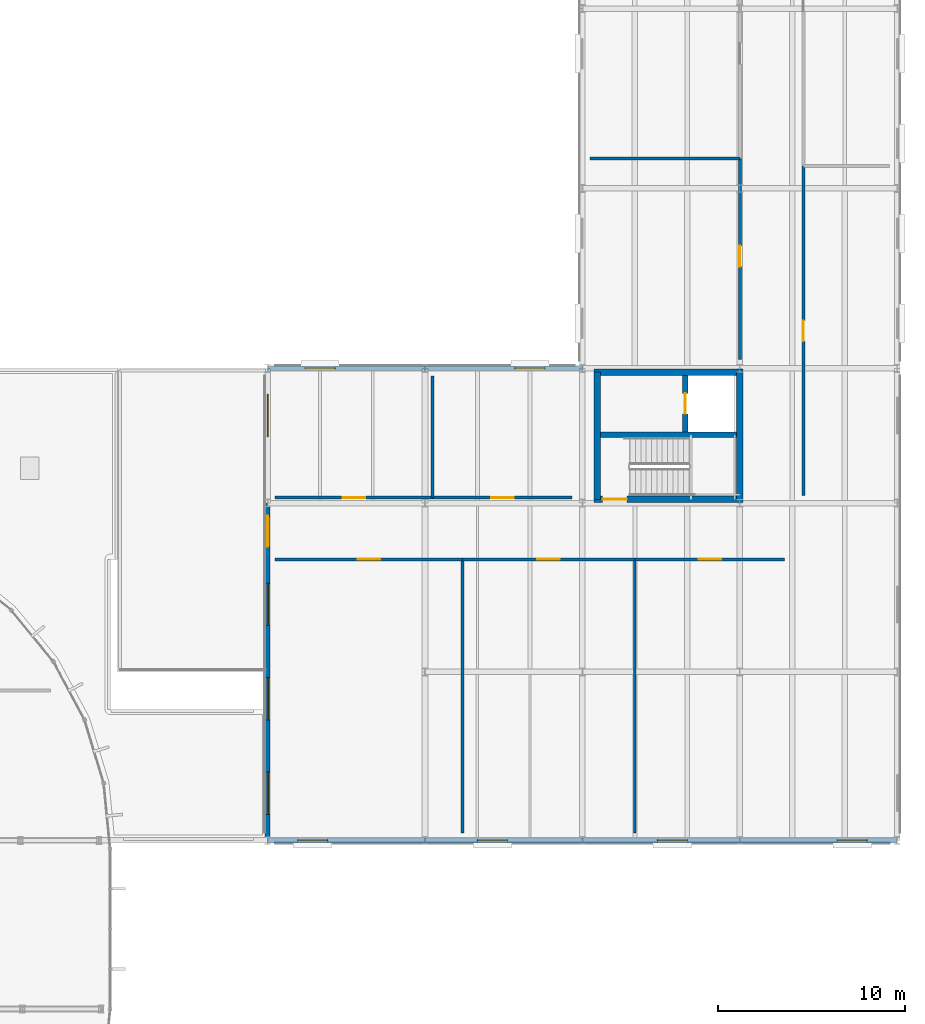
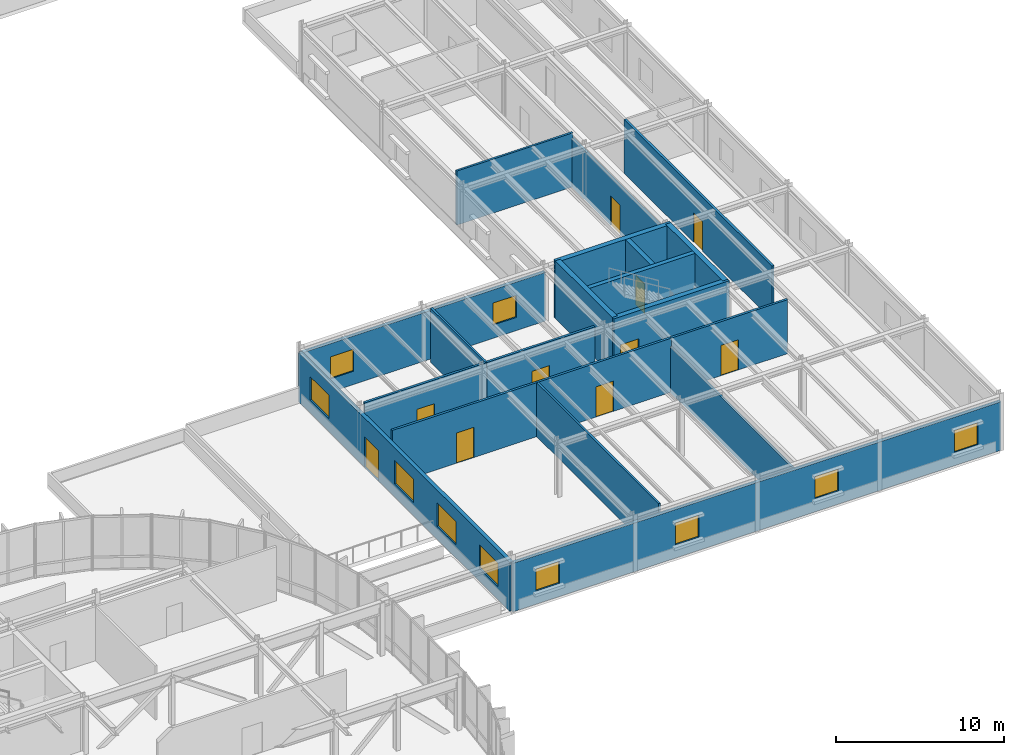
# One storey, part 57 of 69: 20 walls, 10 doors, 10 windows, 20 openings.
"""IFC4 building model written with IfcOpenShell, lengths in metres."""

from ifc_helpers import new_model, si_unit, direction, frame, frame_2d, origin, place, context, subcontext, project, spatial, rectangle, extrude, material, layer, layer_set, type_object, element, fill, save


model = new_model("IFC4")

# Units and contexts
model_context = context("Model", 3, precision=1e-05, world=origin(), true_north=direction((0.0, 1.0)))
body_context = subcontext(model_context, "Body", "Model", "MODEL_VIEW")
ifc_project = project(units=[si_unit("LENGTHUNIT", "METRE"), si_unit("AREAUNIT", "SQUARE_METRE"), si_unit("VOLUMEUNIT", "CUBIC_METRE"), si_unit("PLANEANGLEUNIT", "RADIAN"), si_unit("MASSUNIT", "GRAM", prefix="KILO")], contexts=[model_context])

# Site, building, storey
site_placement = place(None, origin())
site = spatial("IfcSite", under=ifc_project, at=site_placement, CompositionType="ELEMENT")
building_placement = place(site_placement, origin())
building = spatial("IfcBuilding", under=site, at=building_placement, Name="Montealbar Specialist Clinic", CompositionType="ELEMENT")
storey_placement = place(building_placement, frame((0.0, 0.0, 9.60009765625)))
storey = spatial("IfcBuildingStorey", under=building, at=storey_placement, Name="L02", CompositionType="ELEMENT", Elevation=9.60009765625)

# Wall
ifc_material_1 = material(Name="Concrete C35/45", Category="concrete")
ifc_layer_1 = layer(ifc_material_1, 0.300048828125, Name="Concrete C35/45", Category="concrete")
ifc_layer_set_1 = layer_set([ifc_layer_1], Name="Concrete C35/45")
wall_type_1 = type_object("IfcWallType", Name="WL-CORE-300", PredefinedType="SHEAR", material=ifc_layer_set_1)
wall_1_placement = place(storey_placement, frame((146.175048828125, 48.64990234375, 0.0), z_axis=(0.0, 0.0, 1.0), x_axis=(1.0, 0.0, 0.0)))
element("IfcWall", 1, at=wall_1_placement, inside=storey, type_object=wall_type_1, Name="Core C6 Stairwell Wall L02", PredefinedType="SHEAR", context=body_context, shape_type="SweptSolid", body=[
    extrude(rectangle(XDim=7.25, YDim=0.300048828125, at=frame_2d((3.625, 0.0))), origin(), (0.0, 0.0, 1.0), 4.199951171875),
])

# Wall, opening, door
wall_2_placement = place(storey_placement, frame((150.699951171875, 48.800048828125, 0.0), z_axis=(0.0, 0.0, 1.0), x_axis=(0.0, 1.0, 0.0)))
wall_2 = element("IfcWall", 2, at=wall_2_placement, inside=storey, type_object=wall_type_1, Name="Lift LF-04 Shaft Wall L02 LW", PredefinedType="SHEAR", context=body_context, shape_type="SweptSolid", body=[
    extrude(rectangle(XDim=3.02490234375, YDim=0.300048828125, at=frame_2d((1.512451171875, 0.0))), origin(), (0.0, 0.0, 1.0), 4.199951171875),
])
opening_1_placement = place(wall_2_placement, frame((0.962890625, 0.0, 0.0)))
opening_1 = element("IfcOpeningElement", 3, at=opening_1_placement, cuts=wall_2, Name="Opening LD-11", PredefinedType="OPENING", context=body_context, shape_type="SweptSolid", body=[
    extrude(rectangle(XDim=1.10009765625, YDim=2.14990234375, at=frame_2d((0.550048828125, 1.074951171875))), frame((0.0, 0.159912109375, 0.0), z_axis=(0.0, -1.0, 0.0), x_axis=(1.0, 0.0, 0.0)), (0.0, 0.0, 1.0), 0.320068359375),
])
ifc_material_2 = material(Name="Steel S355", Category="steel")
door_type_1 = type_object("IfcDoorType", Name="DR-LIFT-LD1100", OperationType="DOUBLE_DOOR_SLIDING", PredefinedType="DOOR", material=ifc_material_2)
door_1_placement = place(opening_1_placement, origin())
door_1 = element("IfcDoor", 4, at=door_1_placement, inside=storey, type_object=door_type_1, Name="Lift LF-04 Sliding Landing Door L02", OperationType="DOUBLE_DOOR_SLIDING", OverallHeight=2.14990234375, OverallWidth=1.10009765625, PredefinedType="DOOR", context=body_context, shape_type="SweptSolid", body=[
    extrude(rectangle(XDim=1.10009765625, YDim=2.14990234375, at=frame_2d((0.550048828125, 1.074951171875))), frame((0.0, 0.02490234375, 0.0), z_axis=(0.0, -1.0, 0.0), x_axis=(1.0, 0.0, 0.0)), (0.0, 0.0, 1.0), 0.050048828125),
])
fill(opening_1, door_1)

ifc_layer_2 = layer(ifc_material_1, 0.35009765625, Name="Concrete C35/45", Category="concrete")
ifc_layer_set_2 = layer_set([ifc_layer_2], Name="Concrete C35/45")
wall_type_2 = type_object("IfcWallType", Name="WL-CORE-350", PredefinedType="SHEAR", material=ifc_layer_set_2)
wall_3_placement = place(storey_placement, frame((145.824951171875, 45.199951171875, 0.0), z_axis=(0.0, 0.0, 1.0), x_axis=(1.0, 0.0, 0.0)))
wall_3 = element("IfcWall", 5, at=wall_3_placement, inside=storey, type_object=wall_type_2, Name="Core C6 Shear Wall L02 S", PredefinedType="SHEAR", context=body_context, shape_type="SweptSolid", body=[
    extrude(rectangle(XDim=7.949951171875, YDim=0.35009765625, at=frame_2d((3.97509765625, 0.0))), origin(), (0.0, 0.0, 1.0), 4.199951171875),
])
opening_2_placement = place(wall_3_placement, frame((0.449951171875, 0.0, 0.0)))
opening_2 = element("IfcOpeningElement", 6, at=opening_2_placement, cuts=wall_3, Name="Opening SD-13", PredefinedType="OPENING", context=body_context, shape_type="SweptSolid", body=[
    extrude(rectangle(XDim=1.300048828125, YDim=2.14990234375, at=frame_2d((0.64990234375, 1.074951171875))), frame((0.0, 0.18505859375, 0.0), z_axis=(0.0, -1.0, 0.0), x_axis=(1.0, 0.0, 0.0)), (0.0, 0.0, 1.0), 0.3701171875),
])
door_type_2 = type_object("IfcDoorType", Name="DR-STAIR-W1300", OperationType="NOTDEFINED", PredefinedType="DOOR", material=ifc_material_2)
door_2_placement = place(opening_2_placement, frame((1.300048828125, 0.0, 0.0), z_axis=(0.0, 0.0, 1.0), x_axis=(-1.0, 0.0, 0.0)))
door_2 = element("IfcDoor", 7, at=door_2_placement, inside=storey, type_object=door_type_2, Name="Protected Core C6 Stair Fire Door L02", OperationType="SINGLE_SWING_LEFT", OverallHeight=2.14990234375, OverallWidth=1.300048828125, PredefinedType="DOOR", context=body_context, shape_type="SweptSolid", body=[
    extrude(rectangle(XDim=1.300048828125, YDim=2.14990234375, at=frame_2d((0.64990234375, 1.074951171875))), frame((0.0, 0.02490234375, 0.0), z_axis=(0.0, -1.0, 0.0), x_axis=(1.0, 0.0, 0.0)), (0.0, 0.0, 1.0), 0.050048828125),
])
fill(opening_2, door_2)

# Walls
wall_4_placement = place(storey_placement, frame((145.824951171875, 52.0, 0.0), z_axis=(0.0, 0.0, 1.0), x_axis=(1.0, 0.0, 0.0)))
element("IfcWall", 8, at=wall_4_placement, inside=storey, type_object=wall_type_2, Name="Core C6 Shear Wall L02 N", PredefinedType="SHEAR", context=body_context, shape_type="SweptSolid", body=[
    extrude(rectangle(XDim=7.949951171875, YDim=0.35009765625, at=frame_2d((3.97509765625, 0.0))), origin(), (0.0, 0.0, 1.0), 4.199951171875),
])
for number, where, z_axis, x_axis, name in (
    (9, (146.0, 45.199951171875, 0.0), (0.0, 0.0, 1.0), (0.0, 1.0, 0.0), "Core C6 Shear Wall L02 W"),
    (10, (153.60009765625, 45.199951171875, 0.0), (0.0, 0.0, 1.0), (0.0, 1.0, 0.0), "Core C6 Shear Wall L02 E"),
):
    element("IfcWall", number, at=place(storey_placement, frame(where, z_axis=z_axis, x_axis=x_axis)), inside=storey, type_object=wall_type_2, Name=name, PredefinedType="SHEAR", context=body_context, shape_type="SweptSolid", body=[
        extrude(rectangle(XDim=6.800048828125, YDim=0.35009765625, at=frame_2d((3.39990234375, 0.0))), origin(), (0.0, 0.0, 1.0), 4.199951171875),
    ])

# Wall, openings, windows
ifc_material_3 = material(Name="Terracotta architectural cladding", Category="masonry")
ifc_layer_3 = layer(ifc_material_3, 0.260009765625, Name="Terracotta architectural cladding", Category="masonry")
ifc_layer_set_3 = layer_set([ifc_layer_3], Name="Terracotta architectural cladding")
wall_type_3 = type_object("IfcWallType", Name="WL-EXT-TERRA-260", PredefinedType="SOLIDWALL", material=ifc_layer_set_3)
wall_5_placement = place(storey_placement, frame((162.0, 27.0, 0.0), z_axis=(0.0, 0.0, 1.0), x_axis=(-1.0, 0.0, 0.0)))
wall_5 = element("IfcWall", 11, at=wall_5_placement, inside=storey, type_object=wall_type_3, Name="Exterior Facade Wall EW-L02-053", PredefinedType="SOLIDWALL", context=body_context, shape_type="SweptSolid", body=[
    extrude(rectangle(XDim=33.60009765625, YDim=0.260009765625, at=frame_2d((16.800048828125, 0.0))), origin(), (0.0, 0.0, 1.0), 3.52978515625),
])
opening_3_placement = place(wall_5_placement, frame((1.60009765625, 0.0, 0.965087890625)))
opening_3 = element("IfcOpeningElement", 12, at=opening_3_placement, cuts=wall_5, Name="Opening WN-19", PredefinedType="OPENING", context=body_context, shape_type="SweptSolid", body=[
    extrude(rectangle(XDim=1.60009765625, YDim=1.60009765625, at=frame_2d((0.800048828125, 0.800048828125))), frame((0.0, 0.139892578125, 0.0), z_axis=(0.0, -1.0, 0.0), x_axis=(1.0, 0.0, 0.0)), (0.0, 0.0, 1.0), 0.280029296875),
])
opening_4_placement = place(wall_5_placement, frame((11.199951171875, 0.0, 0.965087890625)))
opening_4 = element("IfcOpeningElement", 13, at=opening_4_placement, cuts=wall_5, Name="Opening WN-19", PredefinedType="OPENING", context=body_context, shape_type="SweptSolid", body=[
    extrude(rectangle(XDim=1.60009765625, YDim=1.60009765625, at=frame_2d((0.800048828125, 0.800048828125))), frame((0.0, 0.139892578125, 0.0), z_axis=(0.0, -1.0, 0.0), x_axis=(1.0, 0.0, 0.0)), (0.0, 0.0, 1.0), 0.280029296875),
])
opening_5_placement = place(wall_5_placement, frame((20.800048828125, 0.0, 0.965087890625)))
opening_5 = element("IfcOpeningElement", 14, at=opening_5_placement, cuts=wall_5, Name="Opening WN-19", PredefinedType="OPENING", context=body_context, shape_type="SweptSolid", body=[
    extrude(rectangle(XDim=1.60009765625, YDim=1.60009765625, at=frame_2d((0.800048828125, 0.800048828125))), frame((0.0, 0.139892578125, 0.0), z_axis=(0.0, -1.0, 0.0), x_axis=(1.0, 0.0, 0.0)), (0.0, 0.0, 1.0), 0.280029296875),
])
opening_6_placement = place(wall_5_placement, frame((30.39990234375, 0.0, 0.965087890625)))
opening_6 = element("IfcOpeningElement", 15, at=opening_6_placement, cuts=wall_5, Name="Opening WN-19", PredefinedType="OPENING", context=body_context, shape_type="SweptSolid", body=[
    extrude(rectangle(XDim=1.60009765625, YDim=1.60009765625, at=frame_2d((0.800048828125, 0.800048828125))), frame((0.0, 0.139892578125, 0.0), z_axis=(0.0, -1.0, 0.0), x_axis=(1.0, 0.0, 0.0)), (0.0, 0.0, 1.0), 0.280029296875),
])
ifc_material_4 = material(Name="Low-E double glazing", Category="glass")
window_type_1 = type_object("IfcWindowType", Name="WIN-WN-19", PartitioningType="SINGLE_PANEL", PredefinedType="WINDOW", material=ifc_material_4)
window_1_placement = place(opening_3_placement, origin())
window_1 = element("IfcWindow", 16, at=window_1_placement, inside=storey, type_object=window_type_1, Name="Clinical Facade Postmodern Oculus Window WN-19 L02-0191", OverallHeight=1.60009765625, OverallWidth=1.60009765625, PartitioningType="SINGLE_PANEL", PredefinedType="WINDOW", context=body_context, shape_type="SweptSolid", body=[
    extrude(rectangle(XDim=1.60009765625, YDim=1.60009765625, at=frame_2d((0.800048828125, 0.800048828125))), frame((0.0, 0.030029296875, 0.0), z_axis=(0.0, -1.0, 0.0), x_axis=(1.0, 0.0, 0.0)), (0.0, 0.0, 1.0), 0.06005859375),
])
fill(opening_3, window_1)
window_2_placement = place(opening_4_placement, origin())
window_2 = element("IfcWindow", 17, at=window_2_placement, inside=storey, type_object=window_type_1, Name="Clinical Facade Postmodern Oculus Window WN-19 L02-0192", OverallHeight=1.60009765625, OverallWidth=1.60009765625, PartitioningType="SINGLE_PANEL", PredefinedType="WINDOW", context=body_context, shape_type="SweptSolid", body=[
    extrude(rectangle(XDim=1.60009765625, YDim=1.60009765625, at=frame_2d((0.800048828125, 0.800048828125))), frame((0.0, 0.030029296875, 0.0), z_axis=(0.0, -1.0, 0.0), x_axis=(1.0, 0.0, 0.0)), (0.0, 0.0, 1.0), 0.06005859375),
])
fill(opening_4, window_2)
window_3_placement = place(opening_5_placement, origin())
window_3 = element("IfcWindow", 18, at=window_3_placement, inside=storey, type_object=window_type_1, Name="Clinical Facade Postmodern Oculus Window WN-19 L02-0193", OverallHeight=1.60009765625, OverallWidth=1.60009765625, PartitioningType="SINGLE_PANEL", PredefinedType="WINDOW", context=body_context, shape_type="SweptSolid", body=[
    extrude(rectangle(XDim=1.60009765625, YDim=1.60009765625, at=frame_2d((0.800048828125, 0.800048828125))), frame((0.0, 0.030029296875, 0.0), z_axis=(0.0, -1.0, 0.0), x_axis=(1.0, 0.0, 0.0)), (0.0, 0.0, 1.0), 0.06005859375),
])
fill(opening_5, window_3)
window_4_placement = place(opening_6_placement, origin())
window_4 = element("IfcWindow", 19, at=window_4_placement, inside=storey, type_object=window_type_1, Name="Clinical Facade Postmodern Oculus Window WN-19 L02-0194", OverallHeight=1.60009765625, OverallWidth=1.60009765625, PartitioningType="SINGLE_PANEL", PredefinedType="WINDOW", context=body_context, shape_type="SweptSolid", body=[
    extrude(rectangle(XDim=1.60009765625, YDim=1.60009765625, at=frame_2d((0.800048828125, 0.800048828125))), frame((0.0, 0.030029296875, 0.0), z_axis=(0.0, -1.0, 0.0), x_axis=(1.0, 0.0, 0.0)), (0.0, 0.0, 1.0), 0.06005859375),
])
fill(opening_6, window_4)

# Wall, openings, door, windows
wall_6_placement = place(storey_placement, frame((128.39990234375, 27.0, 0.0), z_axis=(0.0, 0.0, 1.0), x_axis=(0.0, 1.0, 0.0)))
wall_6 = element("IfcWall", 20, at=wall_6_placement, inside=storey, type_object=wall_type_3, Name="Exterior Facade Wall EW-L02-054", PredefinedType="SOLIDWALL", context=body_context, shape_type="SweptSolid", body=[
    extrude(rectangle(XDim=25.199951171875, YDim=0.260009765625, at=frame_2d((12.60009765625, 0.0))), origin(), (0.0, 0.0, 1.0), 3.56982421875),
])
opening_7_placement = place(wall_6_placement, frame((15.675048828125, 0.0, 0.0)))
opening_7 = element("IfcOpeningElement", 21, at=opening_7_placement, cuts=wall_6, Name="Opening TD-16", PredefinedType="OPENING", context=body_context, shape_type="SweptSolid", body=[
    extrude(rectangle(XDim=1.64990234375, YDim=2.199951171875, at=frame_2d((0.824951171875, 1.10009765625))), frame((0.0, 0.139892578125, 0.0), z_axis=(0.0, -1.0, 0.0), x_axis=(1.0, 0.0, 0.0)), (0.0, 0.0, 1.0), 0.280029296875),
])
opening_8_placement = place(wall_6_placement, frame((1.39501953125, 0.0, 0.949951171875)))
opening_8 = element("IfcOpeningElement", 22, at=opening_8_placement, cuts=wall_6, Name="Opening WN-08", PredefinedType="OPENING", context=body_context, shape_type="SweptSolid", body=[
    extrude(rectangle(XDim=2.25, YDim=1.699951171875, at=frame_2d((1.125, 0.85009765625))), frame((0.0, 0.139892578125, 0.0), z_axis=(0.0, -1.0, 0.0), x_axis=(1.0, 0.0, 0.0)), (0.0, 0.0, 1.0), 0.280029296875),
])
opening_9_placement = place(wall_6_placement, frame((6.43505859375, 0.0, 0.949951171875)))
opening_9 = element("IfcOpeningElement", 23, at=opening_9_placement, cuts=wall_6, Name="Opening WN-08", PredefinedType="OPENING", context=body_context, shape_type="SweptSolid", body=[
    extrude(rectangle(XDim=2.25, YDim=1.699951171875, at=frame_2d((1.125, 0.85009765625))), frame((0.0, 0.139892578125, 0.0), z_axis=(0.0, -1.0, 0.0), x_axis=(1.0, 0.0, 0.0)), (0.0, 0.0, 1.0), 0.280029296875),
])
opening_10_placement = place(wall_6_placement, frame((11.47509765625, 0.0, 0.949951171875)))
opening_10 = element("IfcOpeningElement", 24, at=opening_10_placement, cuts=wall_6, Name="Opening WN-08", PredefinedType="OPENING", context=body_context, shape_type="SweptSolid", body=[
    extrude(rectangle(XDim=2.25, YDim=1.699951171875, at=frame_2d((1.125, 0.85009765625))), frame((0.0, 0.139892578125, 0.0), z_axis=(0.0, -1.0, 0.0), x_axis=(1.0, 0.0, 0.0)), (0.0, 0.0, 1.0), 0.280029296875),
])
opening_11_placement = place(wall_6_placement, frame((21.554931640625, 0.0, 0.949951171875)))
opening_11 = element("IfcOpeningElement", 25, at=opening_11_placement, cuts=wall_6, Name="Opening WN-08", PredefinedType="OPENING", context=body_context, shape_type="SweptSolid", body=[
    extrude(rectangle(XDim=2.25, YDim=1.699951171875, at=frame_2d((1.125, 0.85009765625))), frame((0.0, 0.139892578125, 0.0), z_axis=(0.0, -1.0, 0.0), x_axis=(1.0, 0.0, 0.0)), (0.0, 0.0, 1.0), 0.280029296875),
])
ifc_material_5 = material(Name="Powder-coated aluminium", Category="aluminium")
door_type_3 = type_object("IfcDoorType", Name="DR-TERR-W1650", OperationType="DOUBLE_DOOR_SINGLE_SWING", PredefinedType="DOOR", material=ifc_material_5)
door_3_placement = place(opening_7_placement, origin())
door_3 = element("IfcDoor", 26, at=door_3_placement, inside=storey, type_object=door_type_3, Name="East Healing Terrace Door L02", OperationType="DOUBLE_DOOR_SINGLE_SWING", OverallHeight=2.199951171875, OverallWidth=1.64990234375, PredefinedType="DOOR", context=body_context, shape_type="SweptSolid", body=[
    extrude(rectangle(XDim=1.64990234375, YDim=2.199951171875, at=frame_2d((0.824951171875, 1.10009765625))), frame((0.0, 0.02490234375, 0.0), z_axis=(0.0, -1.0, 0.0), x_axis=(1.0, 0.0, 0.0)), (0.0, 0.0, 1.0), 0.050048828125),
])
fill(opening_7, door_3)
window_type_2 = type_object("IfcWindowType", Name="WIN-WN-08", PartitioningType="SINGLE_PANEL", PredefinedType="WINDOW", material=ifc_material_4)
window_5_placement = place(opening_8_placement, origin())
window_5 = element("IfcWindow", 27, at=window_5_placement, inside=storey, type_object=window_type_2, Name="Clinical Facade Window WN-08 L02-0195", OverallHeight=1.699951171875, OverallWidth=2.25, PartitioningType="SINGLE_PANEL", PredefinedType="WINDOW", context=body_context, shape_type="SweptSolid", body=[
    extrude(rectangle(XDim=2.25, YDim=1.699951171875, at=frame_2d((1.125, 0.85009765625))), frame((0.0, 0.030029296875, 0.0), z_axis=(0.0, -1.0, 0.0), x_axis=(1.0, 0.0, 0.0)), (0.0, 0.0, 1.0), 0.06005859375),
])
fill(opening_8, window_5)
window_6_placement = place(opening_9_placement, origin())
window_6 = element("IfcWindow", 28, at=window_6_placement, inside=storey, type_object=window_type_2, Name="Clinical Facade Window WN-08 L02-0196", OverallHeight=1.699951171875, OverallWidth=2.25, PartitioningType="SINGLE_PANEL", PredefinedType="WINDOW", context=body_context, shape_type="SweptSolid", body=[
    extrude(rectangle(XDim=2.25, YDim=1.699951171875, at=frame_2d((1.125, 0.85009765625))), frame((0.0, 0.030029296875, 0.0), z_axis=(0.0, -1.0, 0.0), x_axis=(1.0, 0.0, 0.0)), (0.0, 0.0, 1.0), 0.06005859375),
])
fill(opening_9, window_6)
window_7_placement = place(opening_10_placement, origin())
window_7 = element("IfcWindow", 29, at=window_7_placement, inside=storey, type_object=window_type_2, Name="Clinical Facade Window WN-08 L02-0197", OverallHeight=1.699951171875, OverallWidth=2.25, PartitioningType="SINGLE_PANEL", PredefinedType="WINDOW", context=body_context, shape_type="SweptSolid", body=[
    extrude(rectangle(XDim=2.25, YDim=1.699951171875, at=frame_2d((1.125, 0.85009765625))), frame((0.0, 0.030029296875, 0.0), z_axis=(0.0, -1.0, 0.0), x_axis=(1.0, 0.0, 0.0)), (0.0, 0.0, 1.0), 0.06005859375),
])
fill(opening_10, window_7)
window_8_placement = place(opening_11_placement, origin())
window_8 = element("IfcWindow", 30, at=window_8_placement, inside=storey, type_object=window_type_2, Name="Clinical Facade Window WN-08 L02-0198", OverallHeight=1.699951171875, OverallWidth=2.25, PartitioningType="SINGLE_PANEL", PredefinedType="WINDOW", context=body_context, shape_type="SweptSolid", body=[
    extrude(rectangle(XDim=2.25, YDim=1.699951171875, at=frame_2d((1.125, 0.85009765625))), frame((0.0, 0.030029296875, 0.0), z_axis=(0.0, -1.0, 0.0), x_axis=(1.0, 0.0, 0.0)), (0.0, 0.0, 1.0), 0.06005859375),
])
fill(opening_11, window_8)

# Wall, openings, windows
wall_7_placement = place(storey_placement, frame((128.39990234375, 52.199951171875, 0.0), z_axis=(0.0, 0.0, 1.0), x_axis=(1.0, 0.0, 0.0)))
wall_7 = element("IfcWall", 31, at=wall_7_placement, inside=storey, type_object=wall_type_3, Name="Exterior Facade Wall EW-L02-055", PredefinedType="SOLIDWALL", context=body_context, shape_type="SweptSolid", body=[
    extrude(rectangle(XDim=16.800048828125, YDim=0.260009765625, at=frame_2d((8.39990234375, 0.0))), origin(), (0.0, 0.0, 1.0), 3.52978515625),
])
opening_12_placement = place(wall_7_placement, frame((2.0, 0.0, 0.965087890625)))
opening_12 = element("IfcOpeningElement", 32, at=opening_12_placement, cuts=wall_7, Name="Opening WN-19", PredefinedType="OPENING", context=body_context, shape_type="SweptSolid", body=[
    extrude(rectangle(XDim=1.60009765625, YDim=1.60009765625, at=frame_2d((0.800048828125, 0.800048828125))), frame((0.0, 0.139892578125, 0.0), z_axis=(0.0, -1.0, 0.0), x_axis=(1.0, 0.0, 0.0)), (0.0, 0.0, 1.0), 0.280029296875),
])
opening_13_placement = place(wall_7_placement, frame((13.199951171875, 0.0, 0.965087890625)))
opening_13 = element("IfcOpeningElement", 33, at=opening_13_placement, cuts=wall_7, Name="Opening WN-19", PredefinedType="OPENING", context=body_context, shape_type="SweptSolid", body=[
    extrude(rectangle(XDim=1.60009765625, YDim=1.60009765625, at=frame_2d((0.800048828125, 0.800048828125))), frame((0.0, 0.139892578125, 0.0), z_axis=(0.0, -1.0, 0.0), x_axis=(1.0, 0.0, 0.0)), (0.0, 0.0, 1.0), 0.280029296875),
])
window_9_placement = place(opening_12_placement, origin())
window_9 = element("IfcWindow", 34, at=window_9_placement, inside=storey, type_object=window_type_1, Name="Clinical Facade Postmodern Oculus Window WN-19 L02-0199", OverallHeight=1.60009765625, OverallWidth=1.60009765625, PartitioningType="SINGLE_PANEL", PredefinedType="WINDOW", context=body_context, shape_type="SweptSolid", body=[
    extrude(rectangle(XDim=1.60009765625, YDim=1.60009765625, at=frame_2d((0.800048828125, 0.800048828125))), frame((0.0, 0.030029296875, 0.0), z_axis=(0.0, -1.0, 0.0), x_axis=(1.0, 0.0, 0.0)), (0.0, 0.0, 1.0), 0.06005859375),
])
fill(opening_12, window_9)
window_10_placement = place(opening_13_placement, origin())
window_10 = element("IfcWindow", 35, at=window_10_placement, inside=storey, type_object=window_type_1, Name="Clinical Facade Postmodern Oculus Window WN-19 L02-0200", OverallHeight=1.60009765625, OverallWidth=1.60009765625, PartitioningType="SINGLE_PANEL", PredefinedType="WINDOW", context=body_context, shape_type="SweptSolid", body=[
    extrude(rectangle(XDim=1.60009765625, YDim=1.60009765625, at=frame_2d((0.800048828125, 0.800048828125))), frame((0.0, 0.030029296875, 0.0), z_axis=(0.0, -1.0, 0.0), x_axis=(1.0, 0.0, 0.0)), (0.0, 0.0, 1.0), 0.06005859375),
])
fill(opening_13, window_10)

# Walls
ifc_material_6 = material(Name="Gypsum acoustic partition", Category="gypsum")
ifc_layer_4 = layer(ifc_material_6, 0.139892578125, Name="Gypsum acoustic partition", Category="gypsum")
ifc_layer_set_4 = layer_set([ifc_layer_4], Name="Gypsum acoustic partition")
wall_type_4 = type_object("IfcWallType", Name="WL-PART-ACOUSTIC-140", PredefinedType="PARTITIONING", material=ifc_layer_set_4)
wall_8_placement = place(storey_placement, frame((138.800048828125, 27.39990234375, 0.0), z_axis=(0.0, 0.0, 1.0), x_axis=(0.0, 1.0, 0.0)))
element("IfcWall", 36, at=wall_8_placement, inside=storey, type_object=wall_type_4, Name="Clinical Partition PART-L02-0150", PredefinedType="PARTITIONING", context=body_context, shape_type="SweptSolid", body=[
    extrude(rectangle(XDim=14.60009765625, YDim=0.139892578125, at=frame_2d((7.300048828125, 0.0))), origin(), (0.0, 0.0, 1.0), 3.929931640625),
])
wall_9_placement = place(storey_placement, frame((148.0, 27.39990234375, 0.0), z_axis=(0.0, 0.0, 1.0), x_axis=(0.0, 1.0, 0.0)))
element("IfcWall", 37, at=wall_9_placement, inside=storey, type_object=wall_type_4, Name="Clinical Partition PART-L02-0152", PredefinedType="PARTITIONING", context=body_context, shape_type="SweptSolid", body=[
    extrude(rectangle(XDim=14.60009765625, YDim=0.139892578125, at=frame_2d((7.300048828125, 0.0))), origin(), (0.0, 0.0, 1.0), 3.329833984375),
])
wall_10_placement = place(storey_placement, frame((137.199951171875, 45.300048828125, 0.0), z_axis=(0.0, 0.0, 1.0), x_axis=(0.0, 1.0, 0.0)))
element("IfcWall", 38, at=wall_10_placement, inside=storey, type_object=wall_type_4, Name="Clinical Partition PART-L02-0155", PredefinedType="PARTITIONING", context=body_context, shape_type="SweptSolid", body=[
    extrude(rectangle(XDim=6.5, YDim=0.139892578125, at=frame_2d((3.25, 0.0))), origin(), (0.0, 0.0, 1.0), 3.929931640625),
])
wall_11_placement = place(storey_placement, frame((145.60009765625, 63.39990234375, 0.0), z_axis=(0.0, 0.0, 1.0), x_axis=(1.0, 0.0, 0.0)))
element("IfcWall", 39, at=wall_11_placement, inside=storey, type_object=wall_type_4, Name="Clinical Partition PART-L02-0158", PredefinedType="PARTITIONING", context=body_context, shape_type="SweptSolid", body=[
    extrude(rectangle(XDim=8.0, YDim=0.139892578125, at=frame_2d((4.0, 0.0))), origin(), (0.0, 0.0, 1.0), 3.929931640625),
])

# Wall, opening, door
ifc_layer_5 = layer(ifc_material_6, 0.159912109375, Name="Gypsum acoustic partition", Category="gypsum")
ifc_layer_set_5 = layer_set([ifc_layer_5], Name="Gypsum acoustic partition")
wall_type_5 = type_object("IfcWallType", Name="WL-PART-CLINIC-160", PredefinedType="PARTITIONING", material=ifc_layer_set_5)
wall_12_placement = place(storey_placement, frame((128.800048828125, 42.0, 0.0), z_axis=(0.0, 0.0, 1.0), x_axis=(1.0, 0.0, 0.0)))
wall_12 = element("IfcWall", 40, at=wall_12_placement, inside=storey, type_object=wall_type_5, Name="Clinical Partition PART-L02-0149", PredefinedType="PARTITIONING", context=body_context, shape_type="SweptSolid", body=[
    extrude(rectangle(XDim=10.0, YDim=0.159912109375, at=frame_2d((5.0, 0.0))), origin(), (0.0, 0.0, 1.0), 3.929931640625),
])
opening_14_placement = place(wall_12_placement, frame((4.39990234375, 0.0, 0.0)))
opening_14 = element("IfcOpeningElement", 41, at=opening_14_placement, cuts=wall_12, Name="Opening ID-120", PredefinedType="OPENING", context=body_context, shape_type="SweptSolid", body=[
    extrude(rectangle(XDim=1.199951171875, YDim=2.199951171875, at=frame_2d((0.60009765625, 1.10009765625))), frame((0.0, 0.08984375, 0.0), z_axis=(0.0, -1.0, 0.0), x_axis=(1.0, 0.0, 0.0)), (0.0, 0.0, 1.0), 0.179931640625),
])
ifc_material_7 = material(Name="Acoustic timber leaf", Category="wood")
door_type_4 = type_object("IfcDoorType", Name="DR-CLIN-W1200", OperationType="NOTDEFINED", PredefinedType="DOOR", material=ifc_material_7)
door_4_placement = place(opening_14_placement, origin())
door_4 = element("IfcDoor", 42, at=door_4_placement, inside=storey, type_object=door_type_4, Name="Clinical Room Door IDR-L02-0097", OperationType="SINGLE_SWING_RIGHT", OverallHeight=2.199951171875, OverallWidth=1.199951171875, PredefinedType="DOOR", context=body_context, shape_type="SweptSolid", body=[
    extrude(rectangle(XDim=1.199951171875, YDim=2.199951171875, at=frame_2d((0.60009765625, 1.10009765625))), frame((0.0, 0.02490234375, 0.0), z_axis=(0.0, -1.0, 0.0), x_axis=(1.0, 0.0, 0.0)), (0.0, 0.0, 1.0), 0.050048828125),
])
fill(opening_14, door_4)

wall_13_placement = place(storey_placement, frame((138.800048828125, 42.0, 0.0), z_axis=(0.0, 0.0, 1.0), x_axis=(1.0, 0.0, 0.0)))
wall_13 = element("IfcWall", 43, at=wall_13_placement, inside=storey, type_object=wall_type_5, Name="Clinical Partition PART-L02-0151", PredefinedType="PARTITIONING", context=body_context, shape_type="SweptSolid", body=[
    extrude(rectangle(XDim=9.199951171875, YDim=0.159912109375, at=frame_2d((4.60009765625, 0.0))), origin(), (0.0, 0.0, 1.0), 3.929931640625),
])
opening_15_placement = place(wall_13_placement, frame((4.0, 0.0, 0.0)))
opening_15 = element("IfcOpeningElement", 44, at=opening_15_placement, cuts=wall_13, Name="Opening ID-120", PredefinedType="OPENING", context=body_context, shape_type="SweptSolid", body=[
    extrude(rectangle(XDim=1.199951171875, YDim=2.199951171875, at=frame_2d((0.60009765625, 1.10009765625))), frame((0.0, 0.08984375, 0.0), z_axis=(0.0, -1.0, 0.0), x_axis=(1.0, 0.0, 0.0)), (0.0, 0.0, 1.0), 0.179931640625),
])
door_5_placement = place(opening_15_placement, origin())
door_5 = element("IfcDoor", 45, at=door_5_placement, inside=storey, type_object=door_type_4, Name="Clinical Room Door IDR-L02-0098", OperationType="SINGLE_SWING_LEFT", OverallHeight=2.199951171875, OverallWidth=1.199951171875, PredefinedType="DOOR", context=body_context, shape_type="SweptSolid", body=[
    extrude(rectangle(XDim=1.199951171875, YDim=2.199951171875, at=frame_2d((0.60009765625, 1.10009765625))), frame((0.0, 0.02490234375, 0.0), z_axis=(0.0, -1.0, 0.0), x_axis=(1.0, 0.0, 0.0)), (0.0, 0.0, 1.0), 0.050048828125),
])
fill(opening_15, door_5)

wall_14_placement = place(storey_placement, frame((148.0, 42.0, 0.0), z_axis=(0.0, 0.0, 1.0), x_axis=(1.0, 0.0, 0.0)))
wall_14 = element("IfcWall", 46, at=wall_14_placement, inside=storey, type_object=wall_type_5, Name="Clinical Partition PART-L02-0153", PredefinedType="PARTITIONING", context=body_context, shape_type="SweptSolid", body=[
    extrude(rectangle(XDim=8.0, YDim=0.159912109375, at=frame_2d((4.0, 0.0))), origin(), (0.0, 0.0, 1.0), 3.929931640625),
])
opening_16_placement = place(wall_14_placement, frame((3.39990234375, 0.0, 0.0)))
opening_16 = element("IfcOpeningElement", 47, at=opening_16_placement, cuts=wall_14, Name="Opening ID-120", PredefinedType="OPENING", context=body_context, shape_type="SweptSolid", body=[
    extrude(rectangle(XDim=1.199951171875, YDim=2.199951171875, at=frame_2d((0.60009765625, 1.10009765625))), frame((0.0, 0.08984375, 0.0), z_axis=(0.0, -1.0, 0.0), x_axis=(1.0, 0.0, 0.0)), (0.0, 0.0, 1.0), 0.179931640625),
])
door_6_placement = place(opening_16_placement, origin())
door_6 = element("IfcDoor", 48, at=door_6_placement, inside=storey, type_object=door_type_4, Name="Clinical Room Door IDR-L02-0099", OperationType="SINGLE_SWING_RIGHT", OverallHeight=2.199951171875, OverallWidth=1.199951171875, PredefinedType="DOOR", context=body_context, shape_type="SweptSolid", body=[
    extrude(rectangle(XDim=1.199951171875, YDim=2.199951171875, at=frame_2d((0.60009765625, 1.10009765625))), frame((0.0, 0.02490234375, 0.0), z_axis=(0.0, -1.0, 0.0), x_axis=(1.0, 0.0, 0.0)), (0.0, 0.0, 1.0), 0.050048828125),
])
fill(opening_16, door_6)

wall_15_placement = place(storey_placement, frame((128.800048828125, 45.300048828125, 0.0), z_axis=(0.0, 0.0, 1.0), x_axis=(1.0, 0.0, 0.0)))
wall_15 = element("IfcWall", 49, at=wall_15_placement, inside=storey, type_object=wall_type_5, Name="Clinical Partition PART-L02-0154", PredefinedType="PARTITIONING", context=body_context, shape_type="SweptSolid", body=[
    extrude(rectangle(XDim=8.39990234375, YDim=0.159912109375, at=frame_2d((4.199951171875, 0.0))), origin(), (0.0, 0.0, 1.0), 3.929931640625),
])
opening_17_placement = place(wall_15_placement, frame((3.60009765625, 0.0, 0.0)))
opening_17 = element("IfcOpeningElement", 50, at=opening_17_placement, cuts=wall_15, Name="Opening ID-120", PredefinedType="OPENING", context=body_context, shape_type="SweptSolid", body=[
    extrude(rectangle(XDim=1.199951171875, YDim=2.199951171875, at=frame_2d((0.60009765625, 1.10009765625))), frame((0.0, 0.08984375, 0.0), z_axis=(0.0, -1.0, 0.0), x_axis=(1.0, 0.0, 0.0)), (0.0, 0.0, 1.0), 0.179931640625),
])
door_7_placement = place(opening_17_placement, frame((1.199951171875, 0.0, 0.0), z_axis=(0.0, 0.0, 1.0), x_axis=(-1.0, 0.0, 0.0)))
door_7 = element("IfcDoor", 51, at=door_7_placement, inside=storey, type_object=door_type_4, Name="Clinical Room Door IDR-L02-0100", OperationType="SINGLE_SWING_LEFT", OverallHeight=2.199951171875, OverallWidth=1.199951171875, PredefinedType="DOOR", context=body_context, shape_type="SweptSolid", body=[
    extrude(rectangle(XDim=1.199951171875, YDim=2.199951171875, at=frame_2d((0.60009765625, 1.10009765625))), frame((0.0, 0.02490234375, 0.0), z_axis=(0.0, -1.0, 0.0), x_axis=(1.0, 0.0, 0.0)), (0.0, 0.0, 1.0), 0.050048828125),
])
fill(opening_17, door_7)

wall_16_placement = place(storey_placement, frame((137.199951171875, 45.300048828125, 0.0), z_axis=(0.0, 0.0, 1.0), x_axis=(1.0, 0.0, 0.0)))
wall_16 = element("IfcWall", 52, at=wall_16_placement, inside=storey, type_object=wall_type_5, Name="Clinical Partition PART-L02-0156", PredefinedType="PARTITIONING", context=body_context, shape_type="SweptSolid", body=[
    extrude(rectangle(XDim=7.449951171875, YDim=0.159912109375, at=frame_2d((3.72509765625, 0.0))), origin(), (0.0, 0.0, 1.0), 3.929931640625),
])
opening_18_placement = place(wall_16_placement, frame((3.125, 0.0, 0.0)))
opening_18 = element("IfcOpeningElement", 53, at=opening_18_placement, cuts=wall_16, Name="Opening ID-120", PredefinedType="OPENING", context=body_context, shape_type="SweptSolid", body=[
    extrude(rectangle(XDim=1.199951171875, YDim=2.199951171875, at=frame_2d((0.60009765625, 1.10009765625))), frame((0.0, 0.08984375, 0.0), z_axis=(0.0, -1.0, 0.0), x_axis=(1.0, 0.0, 0.0)), (0.0, 0.0, 1.0), 0.179931640625),
])
door_8_placement = place(opening_18_placement, frame((1.199951171875, 0.0, 0.0), z_axis=(0.0, 0.0, 1.0), x_axis=(-1.0, 0.0, 0.0)))
door_8 = element("IfcDoor", 54, at=door_8_placement, inside=storey, type_object=door_type_4, Name="Clinical Room Door IDR-L02-0101", OperationType="SINGLE_SWING_RIGHT", OverallHeight=2.199951171875, OverallWidth=1.199951171875, PredefinedType="DOOR", context=body_context, shape_type="SweptSolid", body=[
    extrude(rectangle(XDim=1.199951171875, YDim=2.199951171875, at=frame_2d((0.60009765625, 1.10009765625))), frame((0.0, 0.02490234375, 0.0), z_axis=(0.0, -1.0, 0.0), x_axis=(1.0, 0.0, 0.0)), (0.0, 0.0, 1.0), 0.050048828125),
])
fill(opening_18, door_8)

wall_17_placement = place(storey_placement, frame((153.60009765625, 52.679931640625, 0.0), z_axis=(0.0, 0.0, 1.0), x_axis=(0.0, 1.0, 0.0)))
wall_17 = element("IfcWall", 55, at=wall_17_placement, inside=storey, type_object=wall_type_5, Name="Clinical Partition PART-L02-0157", PredefinedType="PARTITIONING", context=body_context, shape_type="SweptSolid", body=[
    extrude(rectangle(XDim=10.719970703125, YDim=0.159912109375, at=frame_2d((5.35986328125, 0.0))), origin(), (0.0, 0.0, 1.0), 3.52978515625),
])
opening_19_placement = place(wall_17_placement, frame((4.949951171875, 0.0, 0.0)))
opening_19 = element("IfcOpeningElement", 56, at=opening_19_placement, cuts=wall_17, Name="Opening ID-110", PredefinedType="OPENING", context=body_context, shape_type="SweptSolid", body=[
    extrude(rectangle(XDim=1.10009765625, YDim=2.14990234375, at=frame_2d((0.550048828125, 1.074951171875))), frame((0.0, 0.08984375, 0.0), z_axis=(0.0, -1.0, 0.0), x_axis=(1.0, 0.0, 0.0)), (0.0, 0.0, 1.0), 0.179931640625),
])
door_type_5 = type_object("IfcDoorType", Name="DR-CLIN-W1100", OperationType="NOTDEFINED", PredefinedType="DOOR", material=ifc_material_7)
door_9_placement = place(opening_19_placement, frame((1.10009765625, 0.0, 0.0), z_axis=(0.0, 0.0, 1.0), x_axis=(-1.0, 0.0, 0.0)))
door_9 = element("IfcDoor", 57, at=door_9_placement, inside=storey, type_object=door_type_5, Name="Clinical Room Door IDR-L02-0102", OperationType="SINGLE_SWING_LEFT", OverallHeight=2.14990234375, OverallWidth=1.10009765625, PredefinedType="DOOR", context=body_context, shape_type="SweptSolid", body=[
    extrude(rectangle(XDim=1.10009765625, YDim=2.14990234375, at=frame_2d((0.550048828125, 1.074951171875))), frame((0.0, 0.02490234375, 0.0), z_axis=(0.0, -1.0, 0.0), x_axis=(1.0, 0.0, 0.0)), (0.0, 0.0, 1.0), 0.050048828125),
])
fill(opening_19, door_9)

wall_18_placement = place(storey_placement, frame((157.0, 45.39990234375, 0.0), z_axis=(0.0, 0.0, 1.0), x_axis=(0.0, 1.0, 0.0)))
wall_18 = element("IfcWall", 58, at=wall_18_placement, inside=storey, type_object=wall_type_5, Name="Clinical Partition PART-L02-0162", PredefinedType="PARTITIONING", context=body_context, shape_type="SweptSolid", body=[
    extrude(rectangle(XDim=17.60009765625, YDim=0.159912109375, at=frame_2d((8.800048828125, 0.0))), origin(), (0.0, 0.0, 1.0), 3.929931640625),
])
opening_20_placement = place(wall_18_placement, frame((8.25, 0.0, 0.0)))
opening_20 = element("IfcOpeningElement", 59, at=opening_20_placement, cuts=wall_18, Name="Opening ID-110", PredefinedType="OPENING", context=body_context, shape_type="SweptSolid", body=[
    extrude(rectangle(XDim=1.10009765625, YDim=2.14990234375, at=frame_2d((0.550048828125, 1.074951171875))), frame((0.0, 0.08984375, 0.0), z_axis=(0.0, -1.0, 0.0), x_axis=(1.0, 0.0, 0.0)), (0.0, 0.0, 1.0), 0.179931640625),
])
door_10_placement = place(opening_20_placement, origin())
door_10 = element("IfcDoor", 60, at=door_10_placement, inside=storey, type_object=door_type_5, Name="Clinical Room Door IDR-L02-0105", OperationType="SINGLE_SWING_RIGHT", OverallHeight=2.14990234375, OverallWidth=1.10009765625, PredefinedType="DOOR", context=body_context, shape_type="SweptSolid", body=[
    extrude(rectangle(XDim=1.10009765625, YDim=2.14990234375, at=frame_2d((0.550048828125, 1.074951171875))), frame((0.0, 0.02490234375, 0.0), z_axis=(0.0, -1.0, 0.0), x_axis=(1.0, 0.0, 0.0)), (0.0, 0.0, 1.0), 0.050048828125),
])
fill(opening_20, door_10)

save(model, "model.ifc")
